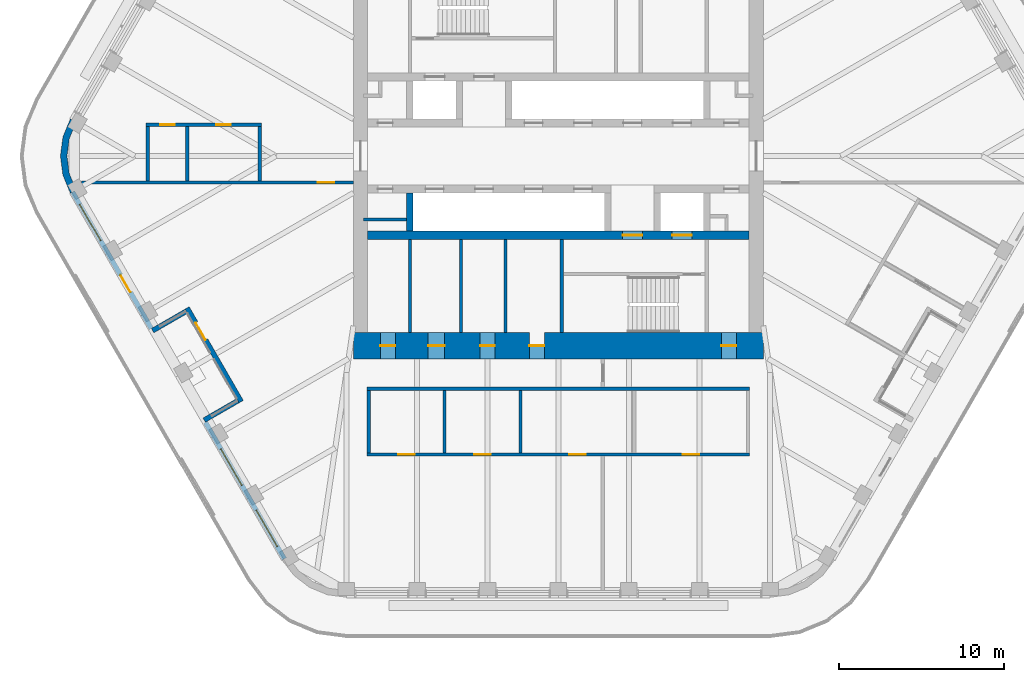
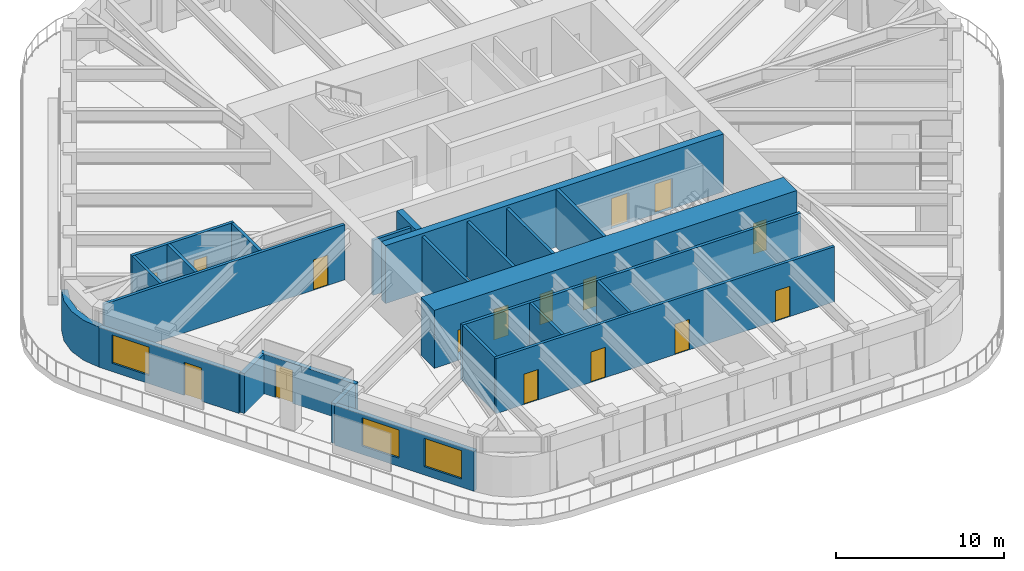
# One storey, part 13 of 19: 24 walls, 16 doors, 3 windows, 19 openings.
"""IFC4 building model written with IfcOpenShell, lengths in metres."""

from ifc_helpers import new_model, si_unit, direction, frame, frame_2d, origin, place, context, subcontext, project, spatial, polyline, rectangle, outline, extrude, material, layer, layer_set, type_object, element, fill, save


model = new_model("IFC4")

# Units and contexts
model_context = context("Model", 3, precision=1e-05, world=origin(), true_north=direction((0.0, 1.0)))
body_context = subcontext(model_context, "Body", "Model", "MODEL_VIEW")
ifc_project = project(units=[si_unit("LENGTHUNIT", "METRE"), si_unit("AREAUNIT", "SQUARE_METRE"), si_unit("VOLUMEUNIT", "CUBIC_METRE"), si_unit("PLANEANGLEUNIT", "RADIAN"), si_unit("MASSUNIT", "GRAM", prefix="KILO")], contexts=[model_context])

# Site, building, storey
site_placement = place(None, origin())
site = spatial("IfcSite", under=ifc_project, at=site_placement, CompositionType="ELEMENT")
building_placement = place(site_placement, origin())
building = spatial("IfcBuilding", under=site, at=building_placement, Name="Tarfa Lantern Tower", CompositionType="ELEMENT")
storey_placement = place(building_placement, frame((0.0, 0.0, 336.699951171875)))
storey = spatial("IfcBuildingStorey", under=building, at=storey_placement, Name="L76", CompositionType="ELEMENT", Elevation=336.699951171875)

# Wall, openings, door, window
ifc_material_1 = material(Name="Limestone cladding on blockwork", Category="masonry")
ifc_layer_1 = layer(ifc_material_1, 0.300048828125)
ifc_layer_set_1 = layer_set([ifc_layer_1], Name="EW1 STONE-CLAD WALL 300")
wall_type_1 = type_object("IfcWallType", Name="EW1 STONE-CLAD WALL 300", PredefinedType="SOLIDWALL", material=ifc_layer_set_1)
wall_1_placement = place(storey_placement, frame((-29.459228515625, -2.175048828125, 0.0), z_axis=(0.0, 0.0, 1.0), x_axis=(0.499996453679, -0.866027451244, 0.0)))
wall_1 = element("IfcWall", 1, at=wall_1_placement, inside=storey, type_object=wall_type_1, Name="Stone wall SW", PredefinedType="SOLIDWALL", context=body_context, shape_type="SweptSolid", body=[
    extrude(rectangle(XDim=9.56396484375, YDim=0.300048828125, at=frame_2d((4.781982421875, 0.0))), origin(), (0.0, 0.0, 1.0), 2.900146484375),
])
opening_1_placement = place(wall_1_placement, frame((0.865966796875, 0.0, 0.60009765625)))
opening_1 = element("IfcOpeningElement", 2, at=opening_1_placement, cuts=wall_1, Name="Opening W17", PredefinedType="OPENING", context=body_context, shape_type="SweptSolid", body=[
    extrude(rectangle(XDim=2.550048828125, YDim=2.050048828125, at=frame_2d((1.27490234375, 1.02490234375))), frame((0.0, 0.159912109375, 0.0), z_axis=(0.0, -1.0, 0.0), x_axis=(1.0, 0.0, 0.0)), (0.0, 0.0, 1.0), 0.320068359375),
])
opening_2_placement = place(wall_1_placement, frame((5.822998046875, 0.0, 0.0)))
opening_2 = element("IfcOpeningElement", 3, at=opening_2_placement, cuts=wall_1, Name="Opening D39", PredefinedType="OPENING", context=body_context, shape_type="SweptSolid", body=[
    extrude(rectangle(XDim=1.199951171875, YDim=2.39990234375, at=frame_2d((0.60009765625, 1.199951171875))), frame((0.0, 0.159912109375, 0.0), z_axis=(0.0, -1.0, 0.0), x_axis=(1.0, 0.0, 0.0)), (0.0, 0.0, 1.0), 0.320068359375),
])
ifc_material_2 = material(Name="Aluminium framed glazed door", Category="aluminium")
door_type_1 = type_object("IfcDoorType", Name="BE3 BALCONY DOOR 1200x2400", OperationType="SINGLE_SWING_RIGHT", PredefinedType="DOOR", material=ifc_material_2)
door_1_placement = place(opening_2_placement, origin())
door_1 = element("IfcDoor", 4, at=door_1_placement, inside=storey, type_object=door_type_1, Name="Balcony door SW", OperationType="SINGLE_SWING_LEFT", OverallHeight=2.39990234375, OverallWidth=1.199951171875, PredefinedType="DOOR", context=body_context, shape_type="SweptSolid", body=[
    extrude(rectangle(XDim=1.199951171875, YDim=2.39990234375, at=frame_2d((0.60009765625, 1.199951171875))), frame((0.0, 0.02490234375, 0.0), z_axis=(0.0, -1.0, 0.0), x_axis=(1.0, 0.0, 0.0)), (0.0, 0.0, 1.0), 0.050048828125),
])
fill(opening_2, door_1)
ifc_material_3 = material(Name="Aluminium frame, double glazed", Category="aluminium")
window_type = type_object("IfcWindowType", Name="W17 FULL-HEIGHT GLAZING 2550x2050", PartitioningType="SINGLE_PANEL", PredefinedType="WINDOW", material=ifc_material_3)
window_1_placement = place(opening_1_placement, origin())
window_1 = element("IfcWindow", 5, at=window_1_placement, inside=storey, type_object=window_type, Name="Window SW 1", OverallHeight=2.050048828125, OverallWidth=2.550048828125, PartitioningType="SINGLE_PANEL", PredefinedType="WINDOW", context=body_context, shape_type="SweptSolid", body=[
    extrude(rectangle(XDim=2.550048828125, YDim=2.050048828125, at=frame_2d((1.27490234375, 1.02490234375))), frame((0.0, 0.030029296875, 0.0), z_axis=(0.0, -1.0, 0.0), x_axis=(1.0, 0.0, 0.0)), (0.0, 0.0, 1.0), 0.06005859375),
])
fill(opening_1, window_1)

# Wall, openings, windows
wall_2_placement = place(storey_placement, frame((-21.395263671875, -16.142333984375, 0.0), z_axis=(0.0, 0.0, 1.0), x_axis=(0.499996453679, -0.866027451244, 0.0)))
wall_2 = element("IfcWall", 6, at=wall_2_placement, inside=storey, type_object=wall_type_1, Name="Stone wall SWB", PredefinedType="SOLIDWALL", context=body_context, shape_type="SweptSolid", body=[
    extrude(rectangle(XDim=9.56396484375, YDim=0.300048828125, at=frame_2d((4.781982421875, 0.0))), origin(), (0.0, 0.0, 1.0), 2.900146484375),
])
opening_3_placement = place(wall_2_placement, frame((1.865966796875, 0.0, 0.60009765625)))
opening_3 = element("IfcOpeningElement", 7, at=opening_3_placement, cuts=wall_2, Name="Opening W17", PredefinedType="OPENING", context=body_context, shape_type="SweptSolid", body=[
    extrude(rectangle(XDim=2.550048828125, YDim=2.050048828125, at=frame_2d((1.27490234375, 1.02490234375))), frame((0.0, 0.159912109375, 0.0), z_axis=(0.0, -1.0, 0.0), x_axis=(1.0, 0.0, 0.0)), (0.0, 0.0, 1.0), 0.320068359375),
])
opening_4_placement = place(wall_2_placement, frame((6.14794921875, 0.0, 0.60009765625)))
opening_4 = element("IfcOpeningElement", 8, at=opening_4_placement, cuts=wall_2, Name="Opening W17", PredefinedType="OPENING", context=body_context, shape_type="SweptSolid", body=[
    extrude(rectangle(XDim=2.550048828125, YDim=2.050048828125, at=frame_2d((1.27490234375, 1.02490234375))), frame((0.0, 0.159912109375, 0.0), z_axis=(0.0, -1.0, 0.0), x_axis=(1.0, 0.0, 0.0)), (0.0, 0.0, 1.0), 0.320068359375),
])
window_2_placement = place(opening_3_placement, origin())
window_2 = element("IfcWindow", 9, at=window_2_placement, inside=storey, type_object=window_type, Name="Window SWB 1", OverallHeight=2.050048828125, OverallWidth=2.550048828125, PartitioningType="SINGLE_PANEL", PredefinedType="WINDOW", context=body_context, shape_type="SweptSolid", body=[
    extrude(rectangle(XDim=2.550048828125, YDim=2.050048828125, at=frame_2d((1.27490234375, 1.02490234375))), frame((0.0, 0.030029296875, 0.0), z_axis=(0.0, -1.0, 0.0), x_axis=(1.0, 0.0, 0.0)), (0.0, 0.0, 1.0), 0.06005859375),
])
fill(opening_3, window_2)
window_3_placement = place(opening_4_placement, origin())
window_3 = element("IfcWindow", 10, at=window_3_placement, inside=storey, type_object=window_type, Name="Window SWB 2", OverallHeight=2.050048828125, OverallWidth=2.550048828125, PartitioningType="SINGLE_PANEL", PredefinedType="WINDOW", context=body_context, shape_type="SweptSolid", body=[
    extrude(rectangle(XDim=2.550048828125, YDim=2.050048828125, at=frame_2d((1.27490234375, 1.02490234375))), frame((0.0, 0.030029296875, 0.0), z_axis=(0.0, -1.0, 0.0), x_axis=(1.0, 0.0, 0.0)), (0.0, 0.0, 1.0), 0.06005859375),
])
fill(opening_4, window_3)

# Walls
for number, where, z_axis, x_axis, name in (
    (11, (-24.602294921875, -10.587646484375, 0.0), (0.0, 0.0, 1.0), (0.866016039709, 0.500016218704, 0.0), "Terrace return SW 1"),
    (12, (-21.47021484375, -16.012451171875, 0.0), (0.0, 0.0, 1.0), (0.866016039709, 0.500016218704, 0.0), "Terrace return SW 2"),
):
    element("IfcWall", number, at=place(storey_placement, frame(where, z_axis=z_axis, x_axis=x_axis)), inside=storey, type_object=wall_type_1, Name=name, PredefinedType="SOLIDWALL", context=body_context, shape_type="SweptSolid", body=[
        extrude(rectangle(XDim=2.35009765625, YDim=0.300048828125, at=frame_2d((1.175048828125, 0.0))), origin(), (0.0, 0.0, 1.0), 2.900146484375),
    ])

# Wall, opening, door
wall_3_placement = place(storey_placement, frame((-22.51220703125, -9.207763671875, 0.0), z_axis=(0.0, 0.0, 1.0), x_axis=(0.499999339774, -0.866025784966, 0.0)))
wall_3 = element("IfcWall", 13, at=wall_3_placement, inside=storey, type_object=wall_type_1, Name="Stone wall SWS", PredefinedType="SOLIDWALL", context=body_context, shape_type="SweptSolid", body=[
    extrude(rectangle(XDim=6.56396484375, YDim=0.300048828125, at=frame_2d((3.281982421875, 0.0))), origin(), (0.0, 0.0, 1.0), 2.900146484375),
])
opening_5_placement = place(wall_3_placement, frame((1.041015625, 0.0, 0.0)))
opening_5 = element("IfcOpeningElement", 14, at=opening_5_placement, cuts=wall_3, Name="Opening D40", PredefinedType="OPENING", context=body_context, shape_type="SweptSolid", body=[
    extrude(rectangle(XDim=1.199951171875, YDim=2.39990234375, at=frame_2d((0.60009765625, 1.199951171875))), frame((0.0, 0.159912109375, 0.0), z_axis=(0.0, -1.0, 0.0), x_axis=(1.0, 0.0, 0.0)), (0.0, 0.0, 1.0), 0.320068359375),
])
door_2_placement = place(opening_5_placement, origin())
door_2 = element("IfcDoor", 15, at=door_2_placement, inside=storey, type_object=door_type_1, Name="Balcony door SWS", OperationType="SINGLE_SWING_RIGHT", OverallHeight=2.39990234375, OverallWidth=1.199951171875, PredefinedType="DOOR", context=body_context, shape_type="SweptSolid", body=[
    extrude(rectangle(XDim=1.199951171875, YDim=2.39990234375, at=frame_2d((0.60009765625, 1.199951171875))), frame((0.0, 0.02490234375, 0.0), z_axis=(0.0, -1.0, 0.0), x_axis=(1.0, 0.0, 0.0)), (0.0, 0.0, 1.0), 0.050048828125),
])
fill(opening_5, door_2)

# Walls
ifc_layer_2 = layer(ifc_material_1, 0.39990234375)
ifc_layer_set_2 = layer_set([ifc_layer_2], Name="EW2 CURVED STONE CORNER 400")
wall_type_2 = type_object("IfcWallType", Name="EW2 CURVED STONE CORNER 400", PredefinedType="SOLIDWALL", material=ifc_layer_set_2)
wall_4_placement = place(storey_placement, origin())
element("IfcWall", 16, at=wall_4_placement, inside=storey, type_object=wall_type_2, Name="Stone corner NW-SW", PredefinedType="SOLIDWALL", context=body_context, shape_type="SweptSolid", body=[
    extrude(outline(polyline([(-29.589111328125, 2.25), (-30.038818359375, 1.164794921875), (-30.192138671875, 0.0), (-30.038818359375, -1.164794921875), (-29.589111328125, -2.25), (-29.24267578125, -2.050048828125), (-29.65234375, -1.061279296875), (-29.7919921875, 0.0), (-29.65234375, 1.061279296875), (-29.24267578125, 2.050048828125), (-29.589111328125, 2.25)])), origin(), (0.0, 0.0, 1.0), 2.900146484375),
])
ifc_material_4 = material(Name="Concrete blockwork", Category="masonry")
ifc_layer_3 = layer(ifc_material_4, 0.199951171875)
ifc_layer_set_3 = layer_set([ifc_layer_3], Name="IW1 BLOCKWORK PARTITION 200 EI 120")
wall_type_3 = type_object("IfcWallType", Name="IW1 BLOCKWORK PARTITION 200 EI 120", PredefinedType="PARTITIONING", material=ifc_layer_set_3)
for number, where, z_axis, x_axis, name in (
    (17, (-9.0, -5.050048828125, 0.0), (0.0, 0.0, 1.0), (0.0, -1.0, 0.0), "Core partition"),
    (18, (-3.199951171875, -5.050048828125, 0.0), (0.0, 0.0, 1.0), (0.0, -1.0, 0.0), "Core partition"),
    (19, (-5.89990234375, -5.050048828125, 0.0), (0.0, 0.0, 1.0), (0.0, -1.0, 0.0), "Core partition"),
):
    element("IfcWall", number, at=place(storey_placement, frame(where, z_axis=z_axis, x_axis=x_axis)), inside=storey, type_object=wall_type_3, Name=name, PredefinedType="PARTITIONING", context=body_context, shape_type="SweptSolid", body=[
        extrude(rectangle(XDim=5.64990234375, YDim=0.199951171875, at=frame_2d((2.824951171875, 0.0))), origin(), (0.0, 0.0, 1.0), 4.0),
    ])
wall_5_placement = place(storey_placement, frame((-9.199951171875, -3.85009765625, 0.0), z_axis=(0.0, 0.0, 1.0), x_axis=(-1.0, 0.0, 0.0)))
element("IfcWall", 20, at=wall_5_placement, inside=storey, type_object=wall_type_3, Name="Core partition", PredefinedType="PARTITIONING", context=body_context, shape_type="SweptSolid", body=[
    extrude(rectangle(XDim=2.60009765625, YDim=0.199951171875, at=frame_2d((1.300048828125, 0.0))), origin(), (0.0, 0.0, 1.0), 4.0),
])
ifc_material_5 = material(Name="Gypsum board on steel studs", Category="steel")
ifc_layer_4 = layer(ifc_material_5, 0.2099609375)
ifc_layer_set_4 = layer_set([ifc_layer_4], Name="IW2 ACOUSTIC PARTITION 200")
wall_type_4 = type_object("IfcWallType", Name="IW2 ACOUSTIC PARTITION 200", PredefinedType="PARTITIONING", material=ifc_layer_set_4)
wall_6_placement = place(storey_placement, frame((11.60009765625, -14.10009765625, 0.0), z_axis=(0.0, 0.0, 1.0), x_axis=(-1.0, 0.0, 0.0)))
element("IfcWall", 21, at=wall_6_placement, inside=storey, type_object=wall_type_4, Name="Partition", PredefinedType="PARTITIONING", context=body_context, shape_type="SweptSolid", body=[
    extrude(rectangle(XDim=23.2001953125, YDim=0.199951171875, at=frame_2d((11.60009765625, 0.0))), origin(), (0.0, 0.0, 1.0), 4.0),
])

# Wall, openings, doors
wall_7_placement = place(storey_placement, frame((11.60009765625, -18.10009765625, 0.0), z_axis=(0.0, 0.0, 1.0), x_axis=(-1.0, 0.0, 0.0)))
wall_7 = element("IfcWall", 22, at=wall_7_placement, inside=storey, type_object=wall_type_4, Name="Partition", PredefinedType="PARTITIONING", context=body_context, shape_type="SweptSolid", body=[
    extrude(rectangle(XDim=23.2001953125, YDim=0.199951171875, at=frame_2d((11.60009765625, 0.0))), origin(), (0.0, 0.0, 1.0), 4.0),
])
opening_6_placement = place(wall_7_placement, frame((3.050048828125, 0.0, 0.0)))
opening_6 = element("IfcOpeningElement", 23, at=opening_6_placement, cuts=wall_7, Name="Opening D26", PredefinedType="OPENING", context=body_context, shape_type="SweptSolid", body=[
    extrude(rectangle(XDim=1.0, YDim=2.199951171875, at=frame_2d((0.5, 1.10009765625))), frame((0.0, 0.10986328125, 0.0), z_axis=(0.0, -1.0, 0.0), x_axis=(1.0, 0.0, 0.0)), (0.0, 0.0, 1.0), 0.219970703125),
])
opening_7_placement = place(wall_7_placement, frame((9.949951171875, 0.0, 0.0)))
opening_7 = element("IfcOpeningElement", 24, at=opening_7_placement, cuts=wall_7, Name="Opening D27", PredefinedType="OPENING", context=body_context, shape_type="SweptSolid", body=[
    extrude(rectangle(XDim=1.0, YDim=2.199951171875, at=frame_2d((0.5, 1.10009765625))), frame((0.0, 0.10986328125, 0.0), z_axis=(0.0, -1.0, 0.0), x_axis=(1.0, 0.0, 0.0)), (0.0, 0.0, 1.0), 0.219970703125),
])
opening_8_placement = place(wall_7_placement, frame((15.699951171875, 0.0, 0.0)))
opening_8 = element("IfcOpeningElement", 25, at=opening_8_placement, cuts=wall_7, Name="Opening D28", PredefinedType="OPENING", context=body_context, shape_type="SweptSolid", body=[
    extrude(rectangle(XDim=1.0, YDim=2.199951171875, at=frame_2d((0.5, 1.10009765625))), frame((0.0, 0.10986328125, 0.0), z_axis=(0.0, -1.0, 0.0), x_axis=(1.0, 0.0, 0.0)), (0.0, 0.0, 1.0), 0.219970703125),
])
opening_9_placement = place(wall_7_placement, frame((20.300048828125, 0.0, 0.0)))
opening_9 = element("IfcOpeningElement", 26, at=opening_9_placement, cuts=wall_7, Name="Opening D29", PredefinedType="OPENING", context=body_context, shape_type="SweptSolid", body=[
    extrude(rectangle(XDim=1.0, YDim=2.199951171875, at=frame_2d((0.5, 1.10009765625))), frame((0.0, 0.10986328125, 0.0), z_axis=(0.0, -1.0, 0.0), x_axis=(1.0, 0.0, 0.0)), (0.0, 0.0, 1.0), 0.219970703125),
])
ifc_material_6 = material(Name="Timber door", Category="wood")
door_type_2 = type_object("IfcDoorType", Name="DR1 ROOM DOOR 1000x2200", OperationType="SINGLE_SWING_LEFT", PredefinedType="DOOR", material=ifc_material_6)
door_3_placement = place(opening_6_placement, frame((1.0, 0.0, 0.0), z_axis=(0.0, 0.0, 1.0), x_axis=(-1.0, 0.0, 0.0)))
door_3 = element("IfcDoor", 27, at=door_3_placement, inside=storey, type_object=door_type_2, Name="Meeting room door", OperationType="SINGLE_SWING_LEFT", OverallHeight=2.199951171875, OverallWidth=1.0, PredefinedType="DOOR", context=body_context, shape_type="SweptSolid", body=[
    extrude(rectangle(XDim=1.0, YDim=2.199951171875, at=frame_2d((0.5, 1.10009765625))), frame((0.0, 0.02490234375, 0.0), z_axis=(0.0, -1.0, 0.0), x_axis=(1.0, 0.0, 0.0)), (0.0, 0.0, 1.0), 0.050048828125),
])
fill(opening_6, door_3)
door_4_placement = place(opening_7_placement, frame((1.0, 0.0, 0.0), z_axis=(0.0, 0.0, 1.0), x_axis=(-1.0, 0.0, 0.0)))
door_4 = element("IfcDoor", 28, at=door_4_placement, inside=storey, type_object=door_type_2, Name="Reading room door", OperationType="SINGLE_SWING_LEFT", OverallHeight=2.199951171875, OverallWidth=1.0, PredefinedType="DOOR", context=body_context, shape_type="SweptSolid", body=[
    extrude(rectangle(XDim=1.0, YDim=2.199951171875, at=frame_2d((0.5, 1.10009765625))), frame((0.0, 0.02490234375, 0.0), z_axis=(0.0, -1.0, 0.0), x_axis=(1.0, 0.0, 0.0)), (0.0, 0.0, 1.0), 0.050048828125),
])
fill(opening_7, door_4)
door_5_placement = place(opening_8_placement, frame((1.0, 0.0, 0.0), z_axis=(0.0, 0.0, 1.0), x_axis=(-1.0, 0.0, 0.0)))
door_5 = element("IfcDoor", 29, at=door_5_placement, inside=storey, type_object=door_type_2, Name="Private lounge door", OperationType="SINGLE_SWING_RIGHT", OverallHeight=2.199951171875, OverallWidth=1.0, PredefinedType="DOOR", context=body_context, shape_type="SweptSolid", body=[
    extrude(rectangle(XDim=1.0, YDim=2.199951171875, at=frame_2d((0.5, 1.10009765625))), frame((0.0, 0.02490234375, 0.0), z_axis=(0.0, -1.0, 0.0), x_axis=(1.0, 0.0, 0.0)), (0.0, 0.0, 1.0), 0.050048828125),
])
fill(opening_8, door_5)
door_6_placement = place(opening_9_placement, frame((1.0, 0.0, 0.0), z_axis=(0.0, 0.0, 1.0), x_axis=(-1.0, 0.0, 0.0)))
door_6 = element("IfcDoor", 30, at=door_6_placement, inside=storey, type_object=door_type_2, Name="Pantry door", OperationType="SINGLE_SWING_RIGHT", OverallHeight=2.199951171875, OverallWidth=1.0, PredefinedType="DOOR", context=body_context, shape_type="SweptSolid", body=[
    extrude(rectangle(XDim=1.0, YDim=2.199951171875, at=frame_2d((0.5, 1.10009765625))), frame((0.0, 0.02490234375, 0.0), z_axis=(0.0, -1.0, 0.0), x_axis=(1.0, 0.0, 0.0)), (0.0, 0.0, 1.0), 0.050048828125),
])
fill(opening_9, door_6)

# Walls
for number, where, z_axis, x_axis, name in (
    (31, (-2.300048828125, -14.199951171875, 0.0), (0.0, 0.0, 1.0), (0.0, -1.0, 0.0), "Partition"),
    (32, (-6.89990234375, -14.199951171875, 0.0), (0.0, 0.0, 1.0), (0.0, -1.0, 0.0), "Partition"),
    (33, (-11.5, -14.199951171875, 0.0), (0.0, 0.0, 1.0), (0.0, -1.0, 0.0), "Partition"),
):
    element("IfcWall", number, at=place(storey_placement, frame(where, z_axis=z_axis, x_axis=x_axis)), inside=storey, type_object=wall_type_4, Name=name, PredefinedType="PARTITIONING", context=body_context, shape_type="SweptSolid", body=[
        extrude(rectangle(XDim=3.800048828125, YDim=0.199951171875, at=frame_2d((1.89990234375, 0.0))), origin(), (0.0, 0.0, 1.0), 4.0),
    ])

# Wall, opening, door
wall_8_placement = place(storey_placement, frame((-12.425048828125, -1.60009765625, 0.0), z_axis=(0.0, 0.0, 1.0), x_axis=(-1.0, 0.0, 0.0)))
wall_8 = element("IfcWall", 34, at=wall_8_placement, inside=storey, type_object=wall_type_4, Name="Partition", PredefinedType="PARTITIONING", context=body_context, shape_type="SweptSolid", body=[
    extrude(rectangle(XDim=16.500244140625, YDim=0.199951171875, at=frame_2d((8.25, 0.0))), origin(), (0.0, 0.0, 1.0), 4.0),
])
opening_10_placement = place(wall_8_placement, frame((1.150146484375, 0.0, 0.0)))
opening_10 = element("IfcOpeningElement", 35, at=opening_10_placement, cuts=wall_8, Name="Opening D34", PredefinedType="OPENING", context=body_context, shape_type="SweptSolid", body=[
    extrude(rectangle(XDim=1.0, YDim=2.199951171875, at=frame_2d((0.5, 1.10009765625))), frame((0.0, 0.10986328125, 0.0), z_axis=(0.0, -1.0, 0.0), x_axis=(1.0, 0.0, 0.0)), (0.0, 0.0, 1.0), 0.219970703125),
])
door_7_placement = place(opening_10_placement, origin())
door_7 = element("IfcDoor", 36, at=door_7_placement, inside=storey, type_object=door_type_2, Name="Zone door", OperationType="SINGLE_SWING_RIGHT", OverallHeight=2.199951171875, OverallWidth=1.0, PredefinedType="DOOR", context=body_context, shape_type="SweptSolid", body=[
    extrude(rectangle(XDim=1.0, YDim=2.199951171875, at=frame_2d((0.5, 1.10009765625))), frame((0.0, 0.02490234375, 0.0), z_axis=(0.0, -1.0, 0.0), x_axis=(1.0, 0.0, 0.0)), (0.0, 0.0, 1.0), 0.050048828125),
])
fill(opening_10, door_7)

# Wall, openings, doors
wall_9_placement = place(storey_placement, frame((-18.000244140625, 1.89990234375, 0.0), z_axis=(0.0, 0.0, 1.0), x_axis=(-1.0, 0.0, 0.0)))
wall_9 = element("IfcWall", 37, at=wall_9_placement, inside=storey, type_object=wall_type_4, Name="Partition", PredefinedType="PARTITIONING", context=body_context, shape_type="SweptSolid", body=[
    extrude(rectangle(XDim=7.0, YDim=0.199951171875, at=frame_2d((3.5, 0.0))), origin(), (0.0, 0.0, 1.0), 4.0),
])
opening_11_placement = place(wall_9_placement, frame((1.85009765625, 0.0, 0.0)))
opening_11 = element("IfcOpeningElement", 38, at=opening_11_placement, cuts=wall_9, Name="Opening D30", PredefinedType="OPENING", context=body_context, shape_type="SweptSolid", body=[
    extrude(rectangle(XDim=0.89990234375, YDim=2.199951171875, at=frame_2d((0.449951171875, 1.10009765625))), frame((0.0, 0.10986328125, 0.0), z_axis=(0.0, -1.0, 0.0), x_axis=(1.0, 0.0, 0.0)), (0.0, 0.0, 1.0), 0.219970703125),
])
opening_12_placement = place(wall_9_placement, frame((5.25, 0.0, 0.0)))
opening_12 = element("IfcOpeningElement", 39, at=opening_12_placement, cuts=wall_9, Name="Opening D31", PredefinedType="OPENING", context=body_context, shape_type="SweptSolid", body=[
    extrude(rectangle(XDim=0.89990234375, YDim=2.199951171875, at=frame_2d((0.449951171875, 1.10009765625))), frame((0.0, 0.10986328125, 0.0), z_axis=(0.0, -1.0, 0.0), x_axis=(1.0, 0.0, 0.0)), (0.0, 0.0, 1.0), 0.219970703125),
])
door_type_3 = type_object("IfcDoorType", Name="DR3 ROOM DOOR 900x2200", OperationType="SINGLE_SWING_LEFT", PredefinedType="DOOR", material=ifc_material_6)
door_8_placement = place(opening_11_placement, origin())
door_8 = element("IfcDoor", 40, at=door_8_placement, inside=storey, type_object=door_type_3, Name="Project room door", OperationType="SINGLE_SWING_RIGHT", OverallHeight=2.199951171875, OverallWidth=0.89990234375, PredefinedType="DOOR", context=body_context, shape_type="SweptSolid", body=[
    extrude(rectangle(XDim=0.89990234375, YDim=2.199951171875, at=frame_2d((0.449951171875, 1.10009765625))), frame((0.0, 0.02490234375, 0.0), z_axis=(0.0, -1.0, 0.0), x_axis=(1.0, 0.0, 0.0)), (0.0, 0.0, 1.0), 0.050048828125),
])
fill(opening_11, door_8)
door_9_placement = place(opening_12_placement, origin())
door_9 = element("IfcDoor", 41, at=door_9_placement, inside=storey, type_object=door_type_3, Name="Print and copy room door", OperationType="SINGLE_SWING_LEFT", OverallHeight=2.199951171875, OverallWidth=0.89990234375, PredefinedType="DOOR", context=body_context, shape_type="SweptSolid", body=[
    extrude(rectangle(XDim=0.89990234375, YDim=2.199951171875, at=frame_2d((0.449951171875, 1.10009765625))), frame((0.0, 0.02490234375, 0.0), z_axis=(0.0, -1.0, 0.0), x_axis=(1.0, 0.0, 0.0)), (0.0, 0.0, 1.0), 0.050048828125),
])
fill(opening_12, door_9)

# Walls
for number, where, z_axis, x_axis, name in (
    (42, (-18.10009765625, -1.5, 0.0), (0.0, 0.0, 1.0), (0.0, 1.0, 0.0), "Partition"),
    (43, (-22.500244140625, -1.5, 0.0), (0.0, 0.0, 1.0), (0.0, 1.0, 0.0), "Partition"),
    (44, (-24.900146484375, -1.5, 0.0), (0.0, 0.0, 1.0), (0.0, 1.0, 0.0), "Partition"),
):
    element("IfcWall", number, at=place(storey_placement, frame(where, z_axis=z_axis, x_axis=x_axis)), inside=storey, type_object=wall_type_4, Name=name, PredefinedType="PARTITIONING", context=body_context, shape_type="SweptSolid", body=[
        extrude(rectangle(XDim=3.300048828125, YDim=0.199951171875, at=frame_2d((1.64990234375, 0.0))), origin(), (0.0, 0.0, 1.0), 4.0),
    ])
ifc_material_7 = material(Name="Concrete C80/95", Category="concrete")
ifc_layer_5 = layer(ifc_material_7, 0.199951171875)
ifc_layer_set_5 = layer_set([ifc_layer_5], Name="SW12 CORE WALL 200")
wall_type_5 = type_object("IfcWallType", Name="SW12 CORE WALL 200", PredefinedType="SHEAR", material=ifc_layer_set_5)
wall_10_placement = place(storey_placement, frame((0.199951171875, -5.050048828125, 0.0), z_axis=(0.0, 0.0, 1.0), x_axis=(0.0, -1.0, 0.0)))
element("IfcWall", 45, at=wall_10_placement, inside=storey, type_object=wall_type_5, Name="Core wall stair shaft S", PredefinedType="SHEAR", context=body_context, shape_type="SweptSolid", body=[
    extrude(rectangle(XDim=5.64990234375, YDim=0.199951171875, at=frame_2d((2.824951171875, 0.0))), origin(), (0.0, 0.0, 1.0), 4.199951171875),
])

# Wall, openings, doors
ifc_layer_6 = layer(ifc_material_7, 0.5)
ifc_layer_set_6 = layer_set([ifc_layer_6], Name="SW5 CORE WALL 500")
wall_type_6 = type_object("IfcWallType", Name="SW5 CORE WALL 500", PredefinedType="SHEAR", material=ifc_layer_set_6)
wall_11_placement = place(storey_placement, frame((11.574951171875, -4.800048828125, 0.0), z_axis=(0.0, 0.0, 1.0), x_axis=(-1.0, 0.0, 0.0)))
wall_11 = element("IfcWall", 46, at=wall_11_placement, inside=storey, type_object=wall_type_6, Name="Core wall rear S", PredefinedType="SHEAR", context=body_context, shape_type="SweptSolid", body=[
    extrude(rectangle(XDim=23.14990234375, YDim=0.5, at=frame_2d((11.574951171875, 0.0))), origin(), (0.0, 0.0, 1.0), 4.199951171875),
])
opening_13_placement = place(wall_11_placement, frame((6.47509765625, 0.0, 0.0)))
opening_13 = element("IfcOpeningElement", 47, at=opening_13_placement, cuts=wall_11, Name="Opening D06", PredefinedType="OPENING", context=body_context, shape_type="SweptSolid", body=[
    extrude(rectangle(XDim=1.199951171875, YDim=2.199951171875, at=frame_2d((0.60009765625, 1.10009765625))), frame((0.0, 0.260009765625, 0.0), z_axis=(0.0, -1.0, 0.0), x_axis=(1.0, 0.0, 0.0)), (0.0, 0.0, 1.0), 0.52001953125),
])
opening_14_placement = place(wall_11_placement, frame((3.47509765625, 0.0, 0.0)))
opening_14 = element("IfcOpeningElement", 48, at=opening_14_placement, cuts=wall_11, Name="Opening LD02", PredefinedType="OPENING", context=body_context, shape_type="SweptSolid", body=[
    extrude(rectangle(XDim=1.199951171875, YDim=2.199951171875, at=frame_2d((0.60009765625, 1.10009765625))), frame((0.0, 0.260009765625, 0.0), z_axis=(0.0, -1.0, 0.0), x_axis=(1.0, 0.0, 0.0)), (0.0, 0.0, 1.0), 0.52001953125),
])
ifc_material_8 = material(Name="Steel fire door", Category="steel")
door_type_4 = type_object("IfcDoorType", Name="DF1 FIREFIGHTING LOBBY DOOR 1200x2200", OperationType="SINGLE_SWING_LEFT", PredefinedType="DOOR", material=ifc_material_8)
door_10_placement = place(opening_13_placement, origin())
door_10 = element("IfcDoor", 49, at=door_10_placement, inside=storey, type_object=door_type_4, Name="Firefighting lobby door", OperationType="SINGLE_SWING_LEFT", OverallHeight=2.199951171875, OverallWidth=1.199951171875, PredefinedType="DOOR", context=body_context, shape_type="SweptSolid", body=[
    extrude(rectangle(XDim=1.199951171875, YDim=2.199951171875, at=frame_2d((0.60009765625, 1.10009765625))), frame((0.0, 0.02490234375, 0.0), z_axis=(0.0, -1.0, 0.0), x_axis=(1.0, 0.0, 0.0)), (0.0, 0.0, 1.0), 0.050048828125),
])
fill(opening_13, door_10)
ifc_material_9 = material(Name="Stainless steel lift door", Category="steel")
door_type_5 = type_object("IfcDoorType", Name="LD1 LIFT LANDING DOOR 1200x2200", OperationType="SLIDING_TO_LEFT", PredefinedType="DOOR", material=ifc_material_9)
door_11_placement = place(opening_14_placement, origin())
door_11 = element("IfcDoor", 50, at=door_11_placement, inside=storey, type_object=door_type_5, Name="Landing door FL2", OperationType="SLIDING_TO_LEFT", OverallHeight=2.199951171875, OverallWidth=1.199951171875, PredefinedType="DOOR", context=body_context, shape_type="SweptSolid", body=[
    extrude(rectangle(XDim=1.199951171875, YDim=2.199951171875, at=frame_2d((0.60009765625, 1.10009765625))), frame((0.0, 0.02490234375, 0.0), z_axis=(0.0, -1.0, 0.0), x_axis=(1.0, 0.0, 0.0)), (0.0, 0.0, 1.0), 0.050048828125),
])
fill(opening_14, door_11)

# Wall
ifc_layer_7 = layer(ifc_material_7, 0.39990234375)
ifc_layer_set_7 = layer_set([ifc_layer_7], Name="SW6 CORE WALL 400")
wall_type_7 = type_object("IfcWallType", Name="SW6 CORE WALL 400", PredefinedType="SHEAR", material=ifc_layer_set_7)
wall_12_placement = place(storey_placement, frame((-9.0, -2.25, 0.0), z_axis=(0.0, 0.0, 1.0), x_axis=(0.0, -1.0, 0.0)))
element("IfcWall", 51, at=wall_12_placement, inside=storey, type_object=wall_type_7, Name="Core wall divider S", PredefinedType="SHEAR", context=body_context, shape_type="SweptSolid", body=[
    extrude(rectangle(XDim=2.300048828125, YDim=0.39990234375, at=frame_2d((1.14990234375, 0.0))), origin(), (0.0, 0.0, 1.0), 4.199951171875),
])

# Wall, openings, doors
ifc_layer_8 = layer(ifc_material_7, 1.60009765625)
ifc_layer_set_8 = layer_set([ifc_layer_8], Name="SW7 CORE WALL 1600")
wall_type_8 = type_object("IfcWallType", Name="SW7 CORE WALL 1600", PredefinedType="SHEAR", material=ifc_layer_set_8)
wall_13_placement = place(storey_placement, frame((12.425048828125, -11.5, 0.0), z_axis=(0.0, 0.0, 1.0), x_axis=(-1.0, 0.0, 0.0)))
wall_13 = element("IfcWall", 52, at=wall_13_placement, inside=storey, type_object=wall_type_8, Name="Core wall S", PredefinedType="SHEAR", context=body_context, shape_type="SweptSolid", body=[
    extrude(rectangle(XDim=24.85009765625, YDim=1.60009765625, at=frame_2d((12.425048828125, 0.0))), origin(), (0.0, 0.0, 1.0), 4.199951171875),
])
opening_15_placement = place(wall_13_placement, frame((13.27490234375, 0.0, 0.0)))
opening_15 = element("IfcOpeningElement", 53, at=opening_15_placement, cuts=wall_13, Name="Opening D14", PredefinedType="OPENING", context=body_context, shape_type="SweptSolid", body=[
    extrude(rectangle(XDim=0.89990234375, YDim=2.199951171875, at=frame_2d((0.449951171875, 1.10009765625))), frame((0.0, 0.81005859375, 0.0), z_axis=(0.0, -1.0, 0.0), x_axis=(1.0, 0.0, 0.0)), (0.0, 0.0, 1.0), 1.6201171875),
])
opening_16_placement = place(wall_13_placement, frame((16.27490234375, 0.0, 0.0)))
opening_16 = element("IfcOpeningElement", 54, at=opening_16_placement, cuts=wall_13, Name="Opening D16", PredefinedType="OPENING", context=body_context, shape_type="SweptSolid", body=[
    extrude(rectangle(XDim=0.89990234375, YDim=2.199951171875, at=frame_2d((0.449951171875, 1.10009765625))), frame((0.0, 0.81005859375, 0.0), z_axis=(0.0, -1.0, 0.0), x_axis=(1.0, 0.0, 0.0)), (0.0, 0.0, 1.0), 1.6201171875),
])
opening_17_placement = place(wall_13_placement, frame((19.324951171875, 0.0, 0.0)))
opening_17 = element("IfcOpeningElement", 55, at=opening_17_placement, cuts=wall_13, Name="Opening D18", PredefinedType="OPENING", context=body_context, shape_type="SweptSolid", body=[
    extrude(rectangle(XDim=1.0, YDim=2.199951171875, at=frame_2d((0.5, 1.10009765625))), frame((0.0, 0.81005859375, 0.0), z_axis=(0.0, -1.0, 0.0), x_axis=(1.0, 0.0, 0.0)), (0.0, 0.0, 1.0), 1.6201171875),
])
opening_18_placement = place(wall_13_placement, frame((1.637451171875, 0.0, 0.0)))
opening_18 = element("IfcOpeningElement", 56, at=opening_18_placement, cuts=wall_13, Name="Opening D04", PredefinedType="OPENING", context=body_context, shape_type="SweptSolid", body=[
    extrude(rectangle(XDim=0.89990234375, YDim=2.199951171875, at=frame_2d((0.449951171875, 1.10009765625))), frame((0.0, 0.81005859375, 0.0), z_axis=(0.0, -1.0, 0.0), x_axis=(1.0, 0.0, 0.0)), (0.0, 0.0, 1.0), 1.6201171875),
])
opening_19_placement = place(wall_13_placement, frame((22.3125, 0.0, 0.0)))
opening_19 = element("IfcOpeningElement", 57, at=opening_19_placement, cuts=wall_13, Name="Opening D02", PredefinedType="OPENING", context=body_context, shape_type="SweptSolid", body=[
    extrude(rectangle(XDim=0.89990234375, YDim=2.199951171875, at=frame_2d((0.449951171875, 1.10009765625))), frame((0.0, 0.81005859375, 0.0), z_axis=(0.0, -1.0, 0.0), x_axis=(1.0, 0.0, 0.0)), (0.0, 0.0, 1.0), 1.6201171875),
])
door_type_6 = type_object("IfcDoorType", Name="DF3 CORE ROOM DOOR 900x2200", OperationType="SINGLE_SWING_LEFT", PredefinedType="DOOR", material=ifc_material_8)
door_12_placement = place(opening_15_placement, frame((0.89990234375, 0.0, 0.0), z_axis=(0.0, 0.0, 1.0), x_axis=(-1.0, 0.0, 0.0)))
door_12 = element("IfcDoor", 58, at=door_12_placement, inside=storey, type_object=door_type_6, Name="Core door", OperationType="SINGLE_SWING_LEFT", OverallHeight=2.199951171875, OverallWidth=0.89990234375, PredefinedType="DOOR", context=body_context, shape_type="SweptSolid", body=[
    extrude(rectangle(XDim=0.89990234375, YDim=2.199951171875, at=frame_2d((0.449951171875, 1.10009765625))), frame((0.0, 0.02490234375, 0.0), z_axis=(0.0, -1.0, 0.0), x_axis=(1.0, 0.0, 0.0)), (0.0, 0.0, 1.0), 0.050048828125),
])
fill(opening_15, door_12)
door_13_placement = place(opening_16_placement, frame((0.89990234375, 0.0, 0.0), z_axis=(0.0, 0.0, 1.0), x_axis=(-1.0, 0.0, 0.0)))
door_13 = element("IfcDoor", 59, at=door_13_placement, inside=storey, type_object=door_type_6, Name="Core door", OperationType="SINGLE_SWING_LEFT", OverallHeight=2.199951171875, OverallWidth=0.89990234375, PredefinedType="DOOR", context=body_context, shape_type="SweptSolid", body=[
    extrude(rectangle(XDim=0.89990234375, YDim=2.199951171875, at=frame_2d((0.449951171875, 1.10009765625))), frame((0.0, 0.02490234375, 0.0), z_axis=(0.0, -1.0, 0.0), x_axis=(1.0, 0.0, 0.0)), (0.0, 0.0, 1.0), 0.050048828125),
])
fill(opening_16, door_13)
door_type_7 = type_object("IfcDoorType", Name="DF4 CORE ROOM DOOR 1000x2200", OperationType="SINGLE_SWING_LEFT", PredefinedType="DOOR", material=ifc_material_8)
door_14_placement = place(opening_17_placement, frame((1.0, 0.0, 0.0), z_axis=(0.0, 0.0, 1.0), x_axis=(-1.0, 0.0, 0.0)))
door_14 = element("IfcDoor", 60, at=door_14_placement, inside=storey, type_object=door_type_7, Name="Core door", OperationType="SINGLE_SWING_LEFT", OverallHeight=2.199951171875, OverallWidth=1.0, PredefinedType="DOOR", context=body_context, shape_type="SweptSolid", body=[
    extrude(rectangle(XDim=1.0, YDim=2.199951171875, at=frame_2d((0.5, 1.10009765625))), frame((0.0, 0.02490234375, 0.0), z_axis=(0.0, -1.0, 0.0), x_axis=(1.0, 0.0, 0.0)), (0.0, 0.0, 1.0), 0.050048828125),
])
fill(opening_17, door_14)
door_type_8 = type_object("IfcDoorType", Name="DF5 RISER DOOR 900x2200", OperationType="SINGLE_SWING_LEFT", PredefinedType="DOOR", material=ifc_material_8)
door_15_placement = place(opening_18_placement, frame((0.89990234375, 0.0, 0.0), z_axis=(0.0, 0.0, 1.0), x_axis=(-1.0, 0.0, 0.0)))
door_15 = element("IfcDoor", 61, at=door_15_placement, inside=storey, type_object=door_type_8, Name="Riser door", OperationType="SINGLE_SWING_LEFT", OverallHeight=2.199951171875, OverallWidth=0.89990234375, PredefinedType="DOOR", context=body_context, shape_type="SweptSolid", body=[
    extrude(rectangle(XDim=0.89990234375, YDim=2.199951171875, at=frame_2d((0.449951171875, 1.10009765625))), frame((0.0, 0.02490234375, 0.0), z_axis=(0.0, -1.0, 0.0), x_axis=(1.0, 0.0, 0.0)), (0.0, 0.0, 1.0), 0.050048828125),
])
fill(opening_18, door_15)
door_16_placement = place(opening_19_placement, frame((0.89990234375, 0.0, 0.0), z_axis=(0.0, 0.0, 1.0), x_axis=(-1.0, 0.0, 0.0)))
door_16 = element("IfcDoor", 62, at=door_16_placement, inside=storey, type_object=door_type_8, Name="Riser door", OperationType="SINGLE_SWING_RIGHT", OverallHeight=2.199951171875, OverallWidth=0.89990234375, PredefinedType="DOOR", context=body_context, shape_type="SweptSolid", body=[
    extrude(rectangle(XDim=0.89990234375, YDim=2.199951171875, at=frame_2d((0.449951171875, 1.10009765625))), frame((0.0, 0.02490234375, 0.0), z_axis=(0.0, -1.0, 0.0), x_axis=(1.0, 0.0, 0.0)), (0.0, 0.0, 1.0), 0.050048828125),
])
fill(opening_19, door_16)

save(model, "model.ifc")
